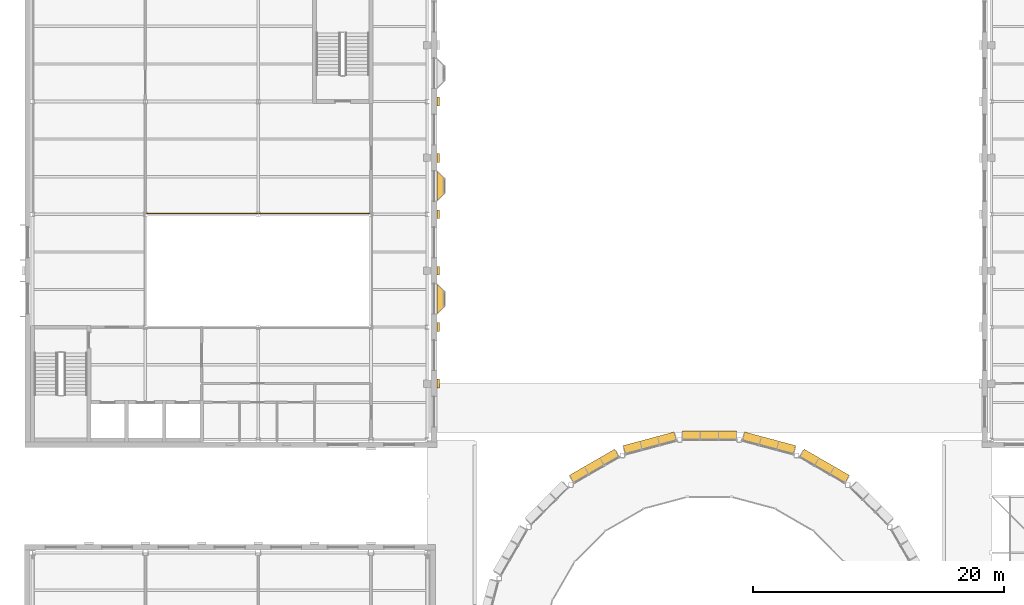
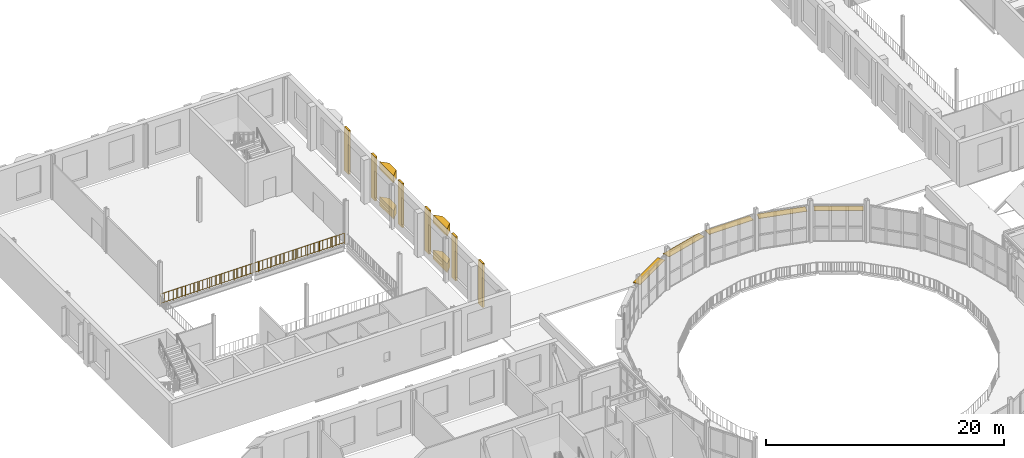
# One storey, part 66 of 74: 10 coverings, 5 shading devices, 1 railing.
"""IFC4 building model written with IfcOpenShell, lengths in metres."""

from ifc_helpers import new_model, si_unit, direction, frame, origin, origin_2d, place, context, subcontext, project, spatial, polyline, rectangle, circle, outline, extrude, material, layer, layer_set, type_object, element, save


model = new_model("IFC4")

# Units and contexts
model_context = context("Model", 3, precision=1e-05, world=origin(), true_north=direction((0.0, 1.0)))
body_context = subcontext(model_context, "Body", "Model", "MODEL_VIEW")
ifc_project = project(units=[si_unit("LENGTHUNIT", "METRE"), si_unit("AREAUNIT", "SQUARE_METRE"), si_unit("VOLUMEUNIT", "CUBIC_METRE"), si_unit("PLANEANGLEUNIT", "RADIAN"), si_unit("MASSUNIT", "GRAM", prefix="KILO")], contexts=[model_context])

# Site, building, storey
site_placement = place(None, origin())
site = spatial("IfcSite", under=ifc_project, at=site_placement, CompositionType="ELEMENT")
building_placement = place(site_placement, origin())
building = spatial("IfcBuilding", under=site, at=building_placement, Name="Hortulan Conservatory and Botanical Research Centre", CompositionType="ELEMENT")
storey_placement = place(building_placement, frame((0.0, 0.0, 6.0)))
storey = spatial("IfcBuildingStorey", under=building, at=storey_placement, Name="L01", CompositionType="ELEMENT", Elevation=6.0)

# Shading devices
ifc_material_1 = material(Name="Bronze-finished perforated aluminium", Category="aluminium")
ifc_layer_1 = layer(ifc_material_1, 0.050048828125)
ifc_layer_set_1 = layer_set([ifc_layer_1], Name="Banksia Brise-soleil Blade 700x50")
shading_device_type = type_object("IfcShadingDeviceType", Name="Banksia Brise-soleil Blade 700x50", PredefinedType="USERDEFINED", material=ifc_layer_set_1)
shading_device_1_placement = place(storey_placement, frame((63.18994140625, 33.91748046875, 3.10009765625), z_axis=(0.0, 0.0, 1.0), x_axis=(0.86603587557, -0.499981861897, 0.0)))
element("IfcShadingDevice", 1, at=shading_device_1_placement, inside=storey, type_object=shading_device_type, Name="Banksia brise-soleil blade", ObjectType="Banksia blade", PredefinedType="USERDEFINED", context=body_context, shape_type="SweptSolid", body=[
    extrude(rectangle(XDim=4.16064453125, YDim=0.699951171875, at=origin_2d()), origin(), (0.0, 0.0, 1.0), 0.050048828125),
])
shading_device_2_placement = place(storey_placement, frame((58.75732421875, 35.753662109375, 3.10009765625), z_axis=(0.0, 0.0, 1.0), x_axis=(0.965922212399, -0.258832531946, 0.0)))
element("IfcShadingDevice", 2, at=shading_device_2_placement, inside=storey, type_object=shading_device_type, Name="Banksia brise-soleil blade", ObjectType="Banksia blade", PredefinedType="USERDEFINED", context=body_context, shape_type="SweptSolid", body=[
    extrude(rectangle(XDim=4.2109375, YDim=0.699951171875, at=origin_2d()), origin(), (0.0, 0.0, 1.0), 0.050048828125),
])
shading_device_3_placement = place(storey_placement, frame((54.0, 36.3798828125, 3.10009765625), z_axis=(0.0, 0.0, 1.0), x_axis=(1.0, 0.0, 0.0)))
element("IfcShadingDevice", 3, at=shading_device_3_placement, inside=storey, type_object=shading_device_type, Name="Banksia brise-soleil blade", ObjectType="Banksia blade", PredefinedType="USERDEFINED", context=body_context, shape_type="SweptSolid", body=[
    extrude(rectangle(XDim=4.2900390625, YDim=0.699951171875, at=origin_2d()), origin(), (0.0, 0.0, 1.0), 0.050048828125),
])
shading_device_4_placement = place(storey_placement, frame((49.24267578125, 35.753662109375, 3.10009765625), z_axis=(0.0, 0.0, 1.0), x_axis=(0.965922212399, 0.258832531946, 0.0)))
element("IfcShadingDevice", 4, at=shading_device_4_placement, inside=storey, type_object=shading_device_type, Name="Banksia brise-soleil blade", ObjectType="Banksia blade", PredefinedType="USERDEFINED", context=body_context, shape_type="SweptSolid", body=[
    extrude(rectangle(XDim=4.2109375, YDim=0.699951171875, at=origin_2d()), origin(), (0.0, 0.0, 1.0), 0.050048828125),
])
shading_device_5_placement = place(storey_placement, frame((44.81005859375, 33.91748046875, 3.10009765625), z_axis=(0.0, 0.0, 1.0), x_axis=(0.86603587557, 0.499981861897, 0.0)))
element("IfcShadingDevice", 5, at=shading_device_5_placement, inside=storey, type_object=shading_device_type, Name="Banksia brise-soleil blade", ObjectType="Banksia blade", PredefinedType="USERDEFINED", context=body_context, shape_type="SweptSolid", body=[
    extrude(rectangle(XDim=4.16064453125, YDim=0.699951171875, at=origin_2d()), origin(), (0.0, 0.0, 1.0), 0.050048828125),
])

# Coverings
ifc_material_2 = material(Name="Faience-faced brickwork masonry", Category="masonry")
covering_type_1 = type_object("IfcCoveringType", Name="Faience Oriel Base", PredefinedType="CLADDING", material=ifc_material_2)
covering_1_placement = place(storey_placement, origin())
element("IfcCovering", 6, at=covering_1_placement, inside=storey, type_object=covering_type_1, Name="Oriel base", PredefinedType="CLADDING", context=body_context, shape_type="SweptSolid", body=[
    extrude(outline(polyline([(32.25, 48.449951171875), (32.85009765625, 47.85009765625), (32.85009765625, 46.64990234375), (32.25, 46.050048828125), (32.25, 48.449951171875)])), origin(), (0.0, 0.0, 1.0), 0.89990234375),
])
covering_2_placement = place(storey_placement, origin())
element("IfcCovering", 7, at=covering_2_placement, inside=storey, type_object=covering_type_1, Name="Oriel base", PredefinedType="CLADDING", context=body_context, shape_type="SweptSolid", body=[
    extrude(outline(polyline([(32.25, 57.449951171875), (32.85009765625, 56.85009765625), (32.85009765625, 55.64990234375), (32.25, 55.050048828125), (32.25, 57.449951171875)])), origin(), (0.0, 0.0, 1.0), 0.89990234375),
])
covering_type_2 = type_object("IfcCoveringType", Name="Faience Oriel Frieze", PredefinedType="CLADDING", material=ifc_material_2)
covering_3_placement = place(storey_placement, frame((0.0, 0.0, 3.699951171875)))
element("IfcCovering", 8, at=covering_3_placement, inside=storey, type_object=covering_type_2, Name="Oriel frieze", PredefinedType="CLADDING", context=body_context, shape_type="SweptSolid", body=[
    extrude(outline(polyline([(32.25, 48.449951171875), (32.85009765625, 47.85009765625), (32.85009765625, 46.64990234375), (32.25, 46.050048828125), (32.25, 48.449951171875)])), origin(), (0.0, 0.0, 1.0), 0.800048828125),
])
covering_4_placement = place(storey_placement, frame((0.0, 0.0, 3.699951171875)))
element("IfcCovering", 9, at=covering_4_placement, inside=storey, type_object=covering_type_2, Name="Oriel frieze", PredefinedType="CLADDING", context=body_context, shape_type="SweptSolid", body=[
    extrude(outline(polyline([(32.25, 57.449951171875), (32.85009765625, 56.85009765625), (32.85009765625, 55.64990234375), (32.25, 55.050048828125), (32.25, 57.449951171875)])), origin(), (0.0, 0.0, 1.0), 0.800048828125),
])

# Railing
ifc_material_3 = material(Name="Wrought iron guard, bronze-charcoal paint", Category="metal")
railing_type = type_object("IfcRailingType", Name="Ironwork Void Guard 1100", PredefinedType="GUARDRAIL", material=ifc_material_3)
railing_placement = place(storey_placement, frame((9.109130859375, 54.06005859375, 0.0)))
element("IfcRailing", 10, at=railing_placement, inside=storey, type_object=railing_type, Name="Guard L01 Winter Garden 3", PredefinedType="GUARDRAIL", context=body_context, shape_type="SweptSolid", body=[
    extrude(circle(Radius=0.02392578125, at=origin_2d()), frame((0.0, 0.0, 1.076171875), z_axis=(1.0, 0.0, 0.0), x_axis=(0.0, 1.0, 0.0)), (0.0, 0.0, 1.0), 17.78173828125),
    extrude(circle(Radius=0.02392578125, at=origin_2d()), frame((0.0, 0.0, 0.1240234375), z_axis=(1.0, 0.0, 0.0), x_axis=(0.0, 1.0, 0.0)), (0.0, 0.0, 1.0), 17.78173828125),
    extrude(circle(Radius=0.008056640625, at=origin_2d()), frame((0.10986328125, 0.0, 0.148193359375)), (0.0, 0.0, 1.0), 0.90380859375),
    extrude(circle(Radius=0.008056640625, at=origin_2d()), frame((0.219482421875, 0.0, 0.148193359375)), (0.0, 0.0, 1.0), 0.90380859375),
    extrude(circle(Radius=0.008056640625, at=origin_2d()), frame((0.329345703125, 0.0, 0.148193359375)), (0.0, 0.0, 1.0), 0.90380859375),
    extrude(circle(Radius=0.008056640625, at=origin_2d()), frame((0.43896484375, 0.0, 0.148193359375)), (0.0, 0.0, 1.0), 0.90380859375),
    extrude(circle(Radius=0.008056640625, at=origin_2d()), frame((0.548828125, 0.0, 0.148193359375)), (0.0, 0.0, 1.0), 0.90380859375),
    extrude(circle(Radius=0.008056640625, at=origin_2d()), frame((0.65869140625, 0.0, 0.148193359375)), (0.0, 0.0, 1.0), 0.90380859375),
    extrude(circle(Radius=0.008056640625, at=origin_2d()), frame((0.768310546875, 0.0, 0.148193359375)), (0.0, 0.0, 1.0), 0.90380859375),
    extrude(circle(Radius=0.008056640625, at=origin_2d()), frame((0.878173828125, 0.0, 0.148193359375)), (0.0, 0.0, 1.0), 0.90380859375),
    extrude(circle(Radius=0.008056640625, at=origin_2d()), frame((0.98779296875, 0.0, 0.148193359375)), (0.0, 0.0, 1.0), 0.90380859375),
    extrude(circle(Radius=0.008056640625, at=origin_2d()), frame((1.09765625, 0.0, 0.148193359375)), (0.0, 0.0, 1.0), 0.90380859375),
    extrude(circle(Radius=0.008056640625, at=origin_2d()), frame((1.20751953125, 0.0, 0.148193359375)), (0.0, 0.0, 1.0), 0.90380859375),
    extrude(circle(Radius=0.008056640625, at=origin_2d()), frame((1.317138671875, 0.0, 0.148193359375)), (0.0, 0.0, 1.0), 0.90380859375),
    extrude(circle(Radius=0.008056640625, at=origin_2d()), frame((1.427001953125, 0.0, 0.148193359375)), (0.0, 0.0, 1.0), 0.90380859375),
    extrude(circle(Radius=0.008056640625, at=origin_2d()), frame((1.53662109375, 0.0, 0.148193359375)), (0.0, 0.0, 1.0), 0.90380859375),
    extrude(circle(Radius=0.008056640625, at=origin_2d()), frame((1.646484375, 0.0, 0.148193359375)), (0.0, 0.0, 1.0), 0.90380859375),
    extrude(circle(Radius=0.008056640625, at=origin_2d()), frame((1.756103515625, 0.0, 0.148193359375)), (0.0, 0.0, 1.0), 0.90380859375),
    extrude(circle(Radius=0.008056640625, at=origin_2d()), frame((1.865966796875, 0.0, 0.148193359375)), (0.0, 0.0, 1.0), 0.90380859375),
    extrude(circle(Radius=0.008056640625, at=origin_2d()), frame((1.975830078125, 0.0, 0.148193359375)), (0.0, 0.0, 1.0), 0.90380859375),
    extrude(circle(Radius=0.008056640625, at=origin_2d()), frame((2.08544921875, 0.0, 0.148193359375)), (0.0, 0.0, 1.0), 0.90380859375),
    extrude(circle(Radius=0.008056640625, at=origin_2d()), frame((2.1953125, 0.0, 0.148193359375)), (0.0, 0.0, 1.0), 0.90380859375),
    extrude(circle(Radius=0.008056640625, at=origin_2d()), frame((2.304931640625, 0.0, 0.148193359375)), (0.0, 0.0, 1.0), 0.90380859375),
    extrude(circle(Radius=0.008056640625, at=origin_2d()), frame((2.414794921875, 0.0, 0.148193359375)), (0.0, 0.0, 1.0), 0.90380859375),
    extrude(circle(Radius=0.008056640625, at=origin_2d()), frame((2.524658203125, 0.0, 0.148193359375)), (0.0, 0.0, 1.0), 0.90380859375),
    extrude(circle(Radius=0.008056640625, at=origin_2d()), frame((2.63427734375, 0.0, 0.148193359375)), (0.0, 0.0, 1.0), 0.90380859375),
    extrude(circle(Radius=0.008056640625, at=origin_2d()), frame((2.744140625, 0.0, 0.148193359375)), (0.0, 0.0, 1.0), 0.90380859375),
    extrude(circle(Radius=0.008056640625, at=origin_2d()), frame((2.853759765625, 0.0, 0.148193359375)), (0.0, 0.0, 1.0), 0.90380859375),
    extrude(circle(Radius=0.008056640625, at=origin_2d()), frame((2.963623046875, 0.0, 0.148193359375)), (0.0, 0.0, 1.0), 0.90380859375),
    extrude(circle(Radius=0.008056640625, at=origin_2d()), frame((3.073486328125, 0.0, 0.148193359375)), (0.0, 0.0, 1.0), 0.90380859375),
    extrude(circle(Radius=0.008056640625, at=origin_2d()), frame((3.18310546875, 0.0, 0.148193359375)), (0.0, 0.0, 1.0), 0.90380859375),
    extrude(circle(Radius=0.008056640625, at=origin_2d()), frame((3.29296875, 0.0, 0.148193359375)), (0.0, 0.0, 1.0), 0.90380859375),
    extrude(circle(Radius=0.008056640625, at=origin_2d()), frame((3.402587890625, 0.0, 0.148193359375)), (0.0, 0.0, 1.0), 0.90380859375),
    extrude(circle(Radius=0.008056640625, at=origin_2d()), frame((3.512451171875, 0.0, 0.148193359375)), (0.0, 0.0, 1.0), 0.90380859375),
    extrude(circle(Radius=0.008056640625, at=origin_2d()), frame((3.622314453125, 0.0, 0.148193359375)), (0.0, 0.0, 1.0), 0.90380859375),
    extrude(circle(Radius=0.008056640625, at=origin_2d()), frame((3.73193359375, 0.0, 0.148193359375)), (0.0, 0.0, 1.0), 0.90380859375),
    extrude(circle(Radius=0.008056640625, at=origin_2d()), frame((3.841796875, 0.0, 0.148193359375)), (0.0, 0.0, 1.0), 0.90380859375),
    extrude(circle(Radius=0.008056640625, at=origin_2d()), frame((3.951416015625, 0.0, 0.148193359375)), (0.0, 0.0, 1.0), 0.90380859375),
    extrude(circle(Radius=0.008056640625, at=origin_2d()), frame((4.061279296875, 0.0, 0.148193359375)), (0.0, 0.0, 1.0), 0.90380859375),
    extrude(circle(Radius=0.008056640625, at=origin_2d()), frame((4.171142578125, 0.0, 0.148193359375)), (0.0, 0.0, 1.0), 0.90380859375),
    extrude(circle(Radius=0.008056640625, at=origin_2d()), frame((4.28076171875, 0.0, 0.148193359375)), (0.0, 0.0, 1.0), 0.90380859375),
    extrude(circle(Radius=0.008056640625, at=origin_2d()), frame((4.390625, 0.0, 0.148193359375)), (0.0, 0.0, 1.0), 0.90380859375),
    extrude(circle(Radius=0.008056640625, at=origin_2d()), frame((4.500244140625, 0.0, 0.148193359375)), (0.0, 0.0, 1.0), 0.90380859375),
    extrude(circle(Radius=0.008056640625, at=origin_2d()), frame((4.610107421875, 0.0, 0.148193359375)), (0.0, 0.0, 1.0), 0.90380859375),
    extrude(circle(Radius=0.008056640625, at=origin_2d()), frame((4.7197265625, 0.0, 0.148193359375)), (0.0, 0.0, 1.0), 0.90380859375),
    extrude(circle(Radius=0.008056640625, at=origin_2d()), frame((4.82958984375, 0.0, 0.148193359375)), (0.0, 0.0, 1.0), 0.90380859375),
    extrude(circle(Radius=0.008056640625, at=origin_2d()), frame((4.939453125, 0.0, 0.148193359375)), (0.0, 0.0, 1.0), 0.90380859375),
    extrude(circle(Radius=0.008056640625, at=origin_2d()), frame((5.049072265625, 0.0, 0.148193359375)), (0.0, 0.0, 1.0), 0.90380859375),
    extrude(circle(Radius=0.008056640625, at=origin_2d()), frame((5.158935546875, 0.0, 0.148193359375)), (0.0, 0.0, 1.0), 0.90380859375),
    extrude(circle(Radius=0.008056640625, at=origin_2d()), frame((5.2685546875, 0.0, 0.148193359375)), (0.0, 0.0, 1.0), 0.90380859375),
    extrude(circle(Radius=0.008056640625, at=origin_2d()), frame((5.37841796875, 0.0, 0.148193359375)), (0.0, 0.0, 1.0), 0.90380859375),
    extrude(circle(Radius=0.008056640625, at=origin_2d()), frame((5.48828125, 0.0, 0.148193359375)), (0.0, 0.0, 1.0), 0.90380859375),
    extrude(circle(Radius=0.008056640625, at=origin_2d()), frame((5.597900390625, 0.0, 0.148193359375)), (0.0, 0.0, 1.0), 0.90380859375),
    extrude(circle(Radius=0.008056640625, at=origin_2d()), frame((5.707763671875, 0.0, 0.148193359375)), (0.0, 0.0, 1.0), 0.90380859375),
    extrude(circle(Radius=0.008056640625, at=origin_2d()), frame((5.8173828125, 0.0, 0.148193359375)), (0.0, 0.0, 1.0), 0.90380859375),
    extrude(circle(Radius=0.008056640625, at=origin_2d()), frame((5.92724609375, 0.0, 0.148193359375)), (0.0, 0.0, 1.0), 0.90380859375),
    extrude(circle(Radius=0.008056640625, at=origin_2d()), frame((6.037109375, 0.0, 0.148193359375)), (0.0, 0.0, 1.0), 0.90380859375),
    extrude(circle(Radius=0.008056640625, at=origin_2d()), frame((6.146728515625, 0.0, 0.148193359375)), (0.0, 0.0, 1.0), 0.90380859375),
    extrude(circle(Radius=0.008056640625, at=origin_2d()), frame((6.256591796875, 0.0, 0.148193359375)), (0.0, 0.0, 1.0), 0.90380859375),
    extrude(circle(Radius=0.008056640625, at=origin_2d()), frame((6.3662109375, 0.0, 0.148193359375)), (0.0, 0.0, 1.0), 0.90380859375),
    extrude(circle(Radius=0.008056640625, at=origin_2d()), frame((6.47607421875, 0.0, 0.148193359375)), (0.0, 0.0, 1.0), 0.90380859375),
    extrude(circle(Radius=0.008056640625, at=origin_2d()), frame((6.5859375, 0.0, 0.148193359375)), (0.0, 0.0, 1.0), 0.90380859375),
    extrude(circle(Radius=0.008056640625, at=origin_2d()), frame((6.695556640625, 0.0, 0.148193359375)), (0.0, 0.0, 1.0), 0.90380859375),
    extrude(circle(Radius=0.008056640625, at=origin_2d()), frame((6.805419921875, 0.0, 0.148193359375)), (0.0, 0.0, 1.0), 0.90380859375),
    extrude(circle(Radius=0.008056640625, at=origin_2d()), frame((6.9150390625, 0.0, 0.148193359375)), (0.0, 0.0, 1.0), 0.90380859375),
    extrude(circle(Radius=0.008056640625, at=origin_2d()), frame((7.02490234375, 0.0, 0.148193359375)), (0.0, 0.0, 1.0), 0.90380859375),
    extrude(circle(Radius=0.008056640625, at=origin_2d()), frame((7.134765625, 0.0, 0.148193359375)), (0.0, 0.0, 1.0), 0.90380859375),
    extrude(circle(Radius=0.008056640625, at=origin_2d()), frame((7.244384765625, 0.0, 0.148193359375)), (0.0, 0.0, 1.0), 0.90380859375),
    extrude(circle(Radius=0.008056640625, at=origin_2d()), frame((7.354248046875, 0.0, 0.148193359375)), (0.0, 0.0, 1.0), 0.90380859375),
    extrude(circle(Radius=0.008056640625, at=origin_2d()), frame((7.4638671875, 0.0, 0.148193359375)), (0.0, 0.0, 1.0), 0.90380859375),
    extrude(circle(Radius=0.008056640625, at=origin_2d()), frame((7.57373046875, 0.0, 0.148193359375)), (0.0, 0.0, 1.0), 0.90380859375),
    extrude(circle(Radius=0.008056640625, at=origin_2d()), frame((7.683349609375, 0.0, 0.148193359375)), (0.0, 0.0, 1.0), 0.90380859375),
    extrude(circle(Radius=0.008056640625, at=origin_2d()), frame((7.793212890625, 0.0, 0.148193359375)), (0.0, 0.0, 1.0), 0.90380859375),
    extrude(circle(Radius=0.008056640625, at=origin_2d()), frame((7.903076171875, 0.0, 0.148193359375)), (0.0, 0.0, 1.0), 0.90380859375),
    extrude(circle(Radius=0.008056640625, at=origin_2d()), frame((8.0126953125, 0.0, 0.148193359375)), (0.0, 0.0, 1.0), 0.90380859375),
    extrude(circle(Radius=0.008056640625, at=origin_2d()), frame((8.12255859375, 0.0, 0.148193359375)), (0.0, 0.0, 1.0), 0.90380859375),
    extrude(circle(Radius=0.008056640625, at=origin_2d()), frame((8.232177734375, 0.0, 0.148193359375)), (0.0, 0.0, 1.0), 0.90380859375),
    extrude(circle(Radius=0.008056640625, at=origin_2d()), frame((8.342041015625, 0.0, 0.148193359375)), (0.0, 0.0, 1.0), 0.90380859375),
    extrude(circle(Radius=0.008056640625, at=origin_2d()), frame((8.451904296875, 0.0, 0.148193359375)), (0.0, 0.0, 1.0), 0.90380859375),
    extrude(circle(Radius=0.008056640625, at=origin_2d()), frame((8.5615234375, 0.0, 0.148193359375)), (0.0, 0.0, 1.0), 0.90380859375),
    extrude(circle(Radius=0.008056640625, at=origin_2d()), frame((8.67138671875, 0.0, 0.148193359375)), (0.0, 0.0, 1.0), 0.90380859375),
    extrude(circle(Radius=0.008056640625, at=origin_2d()), frame((8.781005859375, 0.0, 0.148193359375)), (0.0, 0.0, 1.0), 0.90380859375),
    extrude(circle(Radius=0.008056640625, at=origin_2d()), frame((8.890869140625, 0.0, 0.148193359375)), (0.0, 0.0, 1.0), 0.90380859375),
    extrude(circle(Radius=0.008056640625, at=origin_2d()), frame((9.000732421875, 0.0, 0.148193359375)), (0.0, 0.0, 1.0), 0.90380859375),
    extrude(circle(Radius=0.008056640625, at=origin_2d()), frame((9.1103515625, 0.0, 0.148193359375)), (0.0, 0.0, 1.0), 0.90380859375),
    extrude(circle(Radius=0.008056640625, at=origin_2d()), frame((9.22021484375, 0.0, 0.148193359375)), (0.0, 0.0, 1.0), 0.90380859375),
    extrude(circle(Radius=0.008056640625, at=origin_2d()), frame((9.329833984375, 0.0, 0.148193359375)), (0.0, 0.0, 1.0), 0.90380859375),
    extrude(circle(Radius=0.008056640625, at=origin_2d()), frame((9.439697265625, 0.0, 0.148193359375)), (0.0, 0.0, 1.0), 0.90380859375),
    extrude(circle(Radius=0.008056640625, at=origin_2d()), frame((9.549560546875, 0.0, 0.148193359375)), (0.0, 0.0, 1.0), 0.90380859375),
    extrude(circle(Radius=0.008056640625, at=origin_2d()), frame((9.6591796875, 0.0, 0.148193359375)), (0.0, 0.0, 1.0), 0.90380859375),
    extrude(circle(Radius=0.008056640625, at=origin_2d()), frame((9.76904296875, 0.0, 0.148193359375)), (0.0, 0.0, 1.0), 0.90380859375),
    extrude(circle(Radius=0.008056640625, at=origin_2d()), frame((9.878662109375, 0.0, 0.148193359375)), (0.0, 0.0, 1.0), 0.90380859375),
    extrude(circle(Radius=0.008056640625, at=origin_2d()), frame((9.988525390625, 0.0, 0.148193359375)), (0.0, 0.0, 1.0), 0.90380859375),
    extrude(circle(Radius=0.008056640625, at=origin_2d()), frame((10.098388671875, 0.0, 0.148193359375)), (0.0, 0.0, 1.0), 0.90380859375),
    extrude(circle(Radius=0.008056640625, at=origin_2d()), frame((10.2080078125, 0.0, 0.148193359375)), (0.0, 0.0, 1.0), 0.90380859375),
    extrude(circle(Radius=0.008056640625, at=origin_2d()), frame((10.31787109375, 0.0, 0.148193359375)), (0.0, 0.0, 1.0), 0.90380859375),
    extrude(circle(Radius=0.008056640625, at=origin_2d()), frame((10.427490234375, 0.0, 0.148193359375)), (0.0, 0.0, 1.0), 0.90380859375),
    extrude(circle(Radius=0.008056640625, at=origin_2d()), frame((10.537353515625, 0.0, 0.148193359375)), (0.0, 0.0, 1.0), 0.90380859375),
    extrude(circle(Radius=0.008056640625, at=origin_2d()), frame((10.64697265625, 0.0, 0.148193359375)), (0.0, 0.0, 1.0), 0.90380859375),
    extrude(circle(Radius=0.008056640625, at=origin_2d()), frame((10.7568359375, 0.0, 0.148193359375)), (0.0, 0.0, 1.0), 0.90380859375),
    extrude(circle(Radius=0.008056640625, at=origin_2d()), frame((10.86669921875, 0.0, 0.148193359375)), (0.0, 0.0, 1.0), 0.90380859375),
    extrude(circle(Radius=0.008056640625, at=origin_2d()), frame((10.976318359375, 0.0, 0.148193359375)), (0.0, 0.0, 1.0), 0.90380859375),
    extrude(circle(Radius=0.008056640625, at=origin_2d()), frame((11.086181640625, 0.0, 0.148193359375)), (0.0, 0.0, 1.0), 0.90380859375),
    extrude(circle(Radius=0.008056640625, at=origin_2d()), frame((11.19580078125, 0.0, 0.148193359375)), (0.0, 0.0, 1.0), 0.90380859375),
    extrude(circle(Radius=0.008056640625, at=origin_2d()), frame((11.3056640625, 0.0, 0.148193359375)), (0.0, 0.0, 1.0), 0.90380859375),
    extrude(circle(Radius=0.008056640625, at=origin_2d()), frame((11.41552734375, 0.0, 0.148193359375)), (0.0, 0.0, 1.0), 0.90380859375),
    extrude(circle(Radius=0.008056640625, at=origin_2d()), frame((11.525146484375, 0.0, 0.148193359375)), (0.0, 0.0, 1.0), 0.90380859375),
    extrude(circle(Radius=0.008056640625, at=origin_2d()), frame((11.635009765625, 0.0, 0.148193359375)), (0.0, 0.0, 1.0), 0.90380859375),
    extrude(circle(Radius=0.008056640625, at=origin_2d()), frame((11.74462890625, 0.0, 0.148193359375)), (0.0, 0.0, 1.0), 0.90380859375),
    extrude(circle(Radius=0.008056640625, at=origin_2d()), frame((11.8544921875, 0.0, 0.148193359375)), (0.0, 0.0, 1.0), 0.90380859375),
    extrude(circle(Radius=0.008056640625, at=origin_2d()), frame((11.96435546875, 0.0, 0.148193359375)), (0.0, 0.0, 1.0), 0.90380859375),
    extrude(circle(Radius=0.008056640625, at=origin_2d()), frame((12.073974609375, 0.0, 0.148193359375)), (0.0, 0.0, 1.0), 0.90380859375),
    extrude(circle(Radius=0.008056640625, at=origin_2d()), frame((12.183837890625, 0.0, 0.148193359375)), (0.0, 0.0, 1.0), 0.90380859375),
    extrude(circle(Radius=0.008056640625, at=origin_2d()), frame((12.29345703125, 0.0, 0.148193359375)), (0.0, 0.0, 1.0), 0.90380859375),
    extrude(circle(Radius=0.008056640625, at=origin_2d()), frame((12.4033203125, 0.0, 0.148193359375)), (0.0, 0.0, 1.0), 0.90380859375),
    extrude(circle(Radius=0.008056640625, at=origin_2d()), frame((12.51318359375, 0.0, 0.148193359375)), (0.0, 0.0, 1.0), 0.90380859375),
    extrude(circle(Radius=0.008056640625, at=origin_2d()), frame((12.622802734375, 0.0, 0.148193359375)), (0.0, 0.0, 1.0), 0.90380859375),
    extrude(circle(Radius=0.008056640625, at=origin_2d()), frame((12.732666015625, 0.0, 0.148193359375)), (0.0, 0.0, 1.0), 0.90380859375),
    extrude(circle(Radius=0.008056640625, at=origin_2d()), frame((12.84228515625, 0.0, 0.148193359375)), (0.0, 0.0, 1.0), 0.90380859375),
    extrude(circle(Radius=0.008056640625, at=origin_2d()), frame((12.9521484375, 0.0, 0.148193359375)), (0.0, 0.0, 1.0), 0.90380859375),
    extrude(circle(Radius=0.008056640625, at=origin_2d()), frame((13.06201171875, 0.0, 0.148193359375)), (0.0, 0.0, 1.0), 0.90380859375),
    extrude(circle(Radius=0.008056640625, at=origin_2d()), frame((13.171630859375, 0.0, 0.148193359375)), (0.0, 0.0, 1.0), 0.90380859375),
    extrude(circle(Radius=0.008056640625, at=origin_2d()), frame((13.281494140625, 0.0, 0.148193359375)), (0.0, 0.0, 1.0), 0.90380859375),
    extrude(circle(Radius=0.008056640625, at=origin_2d()), frame((13.39111328125, 0.0, 0.148193359375)), (0.0, 0.0, 1.0), 0.90380859375),
    extrude(circle(Radius=0.008056640625, at=origin_2d()), frame((13.5009765625, 0.0, 0.148193359375)), (0.0, 0.0, 1.0), 0.90380859375),
    extrude(circle(Radius=0.008056640625, at=origin_2d()), frame((13.610595703125, 0.0, 0.148193359375)), (0.0, 0.0, 1.0), 0.90380859375),
    extrude(circle(Radius=0.008056640625, at=origin_2d()), frame((13.720458984375, 0.0, 0.148193359375)), (0.0, 0.0, 1.0), 0.90380859375),
    extrude(circle(Radius=0.008056640625, at=origin_2d()), frame((13.830322265625, 0.0, 0.148193359375)), (0.0, 0.0, 1.0), 0.90380859375),
    extrude(circle(Radius=0.008056640625, at=origin_2d()), frame((13.93994140625, 0.0, 0.148193359375)), (0.0, 0.0, 1.0), 0.90380859375),
    extrude(circle(Radius=0.008056640625, at=origin_2d()), frame((14.0498046875, 0.0, 0.148193359375)), (0.0, 0.0, 1.0), 0.90380859375),
    extrude(circle(Radius=0.008056640625, at=origin_2d()), frame((14.159423828125, 0.0, 0.148193359375)), (0.0, 0.0, 1.0), 0.90380859375),
    extrude(circle(Radius=0.008056640625, at=origin_2d()), frame((14.269287109375, 0.0, 0.148193359375)), (0.0, 0.0, 1.0), 0.90380859375),
    extrude(circle(Radius=0.008056640625, at=origin_2d()), frame((14.379150390625, 0.0, 0.148193359375)), (0.0, 0.0, 1.0), 0.90380859375),
    extrude(circle(Radius=0.008056640625, at=origin_2d()), frame((14.48876953125, 0.0, 0.148193359375)), (0.0, 0.0, 1.0), 0.90380859375),
    extrude(circle(Radius=0.008056640625, at=origin_2d()), frame((14.5986328125, 0.0, 0.148193359375)), (0.0, 0.0, 1.0), 0.90380859375),
    extrude(circle(Radius=0.008056640625, at=origin_2d()), frame((14.708251953125, 0.0, 0.148193359375)), (0.0, 0.0, 1.0), 0.90380859375),
    extrude(circle(Radius=0.008056640625, at=origin_2d()), frame((14.818115234375, 0.0, 0.148193359375)), (0.0, 0.0, 1.0), 0.90380859375),
    extrude(circle(Radius=0.008056640625, at=origin_2d()), frame((14.927978515625, 0.0, 0.148193359375)), (0.0, 0.0, 1.0), 0.90380859375),
    extrude(circle(Radius=0.008056640625, at=origin_2d()), frame((15.03759765625, 0.0, 0.148193359375)), (0.0, 0.0, 1.0), 0.90380859375),
    extrude(circle(Radius=0.008056640625, at=origin_2d()), frame((15.1474609375, 0.0, 0.148193359375)), (0.0, 0.0, 1.0), 0.90380859375),
    extrude(circle(Radius=0.008056640625, at=origin_2d()), frame((15.257080078125, 0.0, 0.148193359375)), (0.0, 0.0, 1.0), 0.90380859375),
    extrude(circle(Radius=0.008056640625, at=origin_2d()), frame((15.366943359375, 0.0, 0.148193359375)), (0.0, 0.0, 1.0), 0.90380859375),
    extrude(circle(Radius=0.008056640625, at=origin_2d()), frame((15.476806640625, 0.0, 0.148193359375)), (0.0, 0.0, 1.0), 0.90380859375),
    extrude(circle(Radius=0.008056640625, at=origin_2d()), frame((15.58642578125, 0.0, 0.148193359375)), (0.0, 0.0, 1.0), 0.90380859375),
    extrude(circle(Radius=0.008056640625, at=origin_2d()), frame((15.6962890625, 0.0, 0.148193359375)), (0.0, 0.0, 1.0), 0.90380859375),
    extrude(circle(Radius=0.008056640625, at=origin_2d()), frame((15.805908203125, 0.0, 0.148193359375)), (0.0, 0.0, 1.0), 0.90380859375),
    extrude(circle(Radius=0.008056640625, at=origin_2d()), frame((15.915771484375, 0.0, 0.148193359375)), (0.0, 0.0, 1.0), 0.90380859375),
    extrude(circle(Radius=0.008056640625, at=origin_2d()), frame((16.025634765625, 0.0, 0.148193359375)), (0.0, 0.0, 1.0), 0.90380859375),
    extrude(circle(Radius=0.008056640625, at=origin_2d()), frame((16.13525390625, 0.0, 0.148193359375)), (0.0, 0.0, 1.0), 0.90380859375),
    extrude(circle(Radius=0.008056640625, at=origin_2d()), frame((16.2451171875, 0.0, 0.148193359375)), (0.0, 0.0, 1.0), 0.90380859375),
    extrude(circle(Radius=0.008056640625, at=origin_2d()), frame((16.354736328125, 0.0, 0.148193359375)), (0.0, 0.0, 1.0), 0.90380859375),
    extrude(circle(Radius=0.008056640625, at=origin_2d()), frame((16.464599609375, 0.0, 0.148193359375)), (0.0, 0.0, 1.0), 0.90380859375),
    extrude(circle(Radius=0.008056640625, at=origin_2d()), frame((16.57421875, 0.0, 0.148193359375)), (0.0, 0.0, 1.0), 0.90380859375),
    extrude(circle(Radius=0.008056640625, at=origin_2d()), frame((16.68408203125, 0.0, 0.148193359375)), (0.0, 0.0, 1.0), 0.90380859375),
    extrude(circle(Radius=0.008056640625, at=origin_2d()), frame((16.7939453125, 0.0, 0.148193359375)), (0.0, 0.0, 1.0), 0.90380859375),
    extrude(circle(Radius=0.008056640625, at=origin_2d()), frame((16.903564453125, 0.0, 0.148193359375)), (0.0, 0.0, 1.0), 0.90380859375),
    extrude(circle(Radius=0.008056640625, at=origin_2d()), frame((17.013427734375, 0.0, 0.148193359375)), (0.0, 0.0, 1.0), 0.90380859375),
    extrude(circle(Radius=0.008056640625, at=origin_2d()), frame((17.123046875, 0.0, 0.148193359375)), (0.0, 0.0, 1.0), 0.90380859375),
    extrude(circle(Radius=0.008056640625, at=origin_2d()), frame((17.23291015625, 0.0, 0.148193359375)), (0.0, 0.0, 1.0), 0.90380859375),
    extrude(circle(Radius=0.008056640625, at=origin_2d()), frame((17.3427734375, 0.0, 0.148193359375)), (0.0, 0.0, 1.0), 0.90380859375),
    extrude(circle(Radius=0.008056640625, at=origin_2d()), frame((17.452392578125, 0.0, 0.148193359375)), (0.0, 0.0, 1.0), 0.90380859375),
    extrude(circle(Radius=0.008056640625, at=origin_2d()), frame((17.562255859375, 0.0, 0.148193359375)), (0.0, 0.0, 1.0), 0.90380859375),
    extrude(circle(Radius=0.008056640625, at=origin_2d()), frame((17.671875, 0.0, 0.148193359375)), (0.0, 0.0, 1.0), 0.90380859375),
    extrude(circle(Radius=0.02099609375, at=origin_2d()), origin(), (0.0, 0.0, 1.0), 1.052001953125),
    extrude(circle(Radius=0.02099609375, at=origin_2d()), frame((1.185546875, 0.0, 0.0)), (0.0, 0.0, 1.0), 1.052001953125),
    extrude(circle(Radius=0.02099609375, at=origin_2d()), frame((2.370849609375, 0.0, 0.0)), (0.0, 0.0, 1.0), 1.052001953125),
    extrude(circle(Radius=0.02099609375, at=origin_2d()), frame((3.556396484375, 0.0, 0.0)), (0.0, 0.0, 1.0), 1.052001953125),
    extrude(circle(Radius=0.02099609375, at=origin_2d()), frame((4.74169921875, 0.0, 0.0)), (0.0, 0.0, 1.0), 1.052001953125),
    extrude(circle(Radius=0.02099609375, at=origin_2d()), frame((5.92724609375, 0.0, 0.0)), (0.0, 0.0, 1.0), 1.052001953125),
    extrude(circle(Radius=0.02099609375, at=origin_2d()), frame((7.11279296875, 0.0, 0.0)), (0.0, 0.0, 1.0), 1.052001953125),
    extrude(circle(Radius=0.02099609375, at=origin_2d()), frame((8.298095703125, 0.0, 0.0)), (0.0, 0.0, 1.0), 1.052001953125),
    extrude(circle(Radius=0.02099609375, at=origin_2d()), frame((9.483642578125, 0.0, 0.0)), (0.0, 0.0, 1.0), 1.052001953125),
    extrude(circle(Radius=0.02099609375, at=origin_2d()), frame((10.6689453125, 0.0, 0.0)), (0.0, 0.0, 1.0), 1.052001953125),
    extrude(circle(Radius=0.02099609375, at=origin_2d()), frame((11.8544921875, 0.0, 0.0)), (0.0, 0.0, 1.0), 1.052001953125),
    extrude(circle(Radius=0.02099609375, at=origin_2d()), frame((13.0400390625, 0.0, 0.0)), (0.0, 0.0, 1.0), 1.052001953125),
    extrude(circle(Radius=0.02099609375, at=origin_2d()), frame((14.225341796875, 0.0, 0.0)), (0.0, 0.0, 1.0), 1.052001953125),
    extrude(circle(Radius=0.02099609375, at=origin_2d()), frame((15.410888671875, 0.0, 0.0)), (0.0, 0.0, 1.0), 1.052001953125),
    extrude(circle(Radius=0.02099609375, at=origin_2d()), frame((16.59619140625, 0.0, 0.0)), (0.0, 0.0, 1.0), 1.052001953125),
    extrude(circle(Radius=0.02099609375, at=origin_2d()), frame((17.78173828125, 0.0, 0.0)), (0.0, 0.0, 1.0), 1.052001953125),
])

# Coverings
ifc_material_4 = material(Name="Sandstone masonry (Hawkesbury yellow block)", Category="masonry")
ifc_layer_2 = layer(ifc_material_4, 0.199951171875)
ifc_layer_set_2 = layer_set([ifc_layer_2], Name="Sandstone Pilaster 700x200")
covering_type_3 = type_object("IfcCoveringType", Name="Sandstone Pilaster 700x200", PredefinedType="CLADDING", material=ifc_layer_set_2)
for number, where, z_axis, x_axis, name in (
    (11, (32.35009765625, 63.0, 0.0), (0.0, 0.0, 1.0), (0.0, -1.0, 0.0), "Pier"),
    (12, (32.35009765625, 58.5, 0.0), (0.0, 0.0, 1.0), (0.0, -1.0, 0.0), "Pier"),
    (13, (32.35009765625, 54.0, 0.0), (0.0, 0.0, 1.0), (0.0, -1.0, 0.0), "Pier"),
    (14, (32.35009765625, 49.5, 0.0), (0.0, 0.0, 1.0), (0.0, -1.0, 0.0), "Pier"),
    (15, (32.35009765625, 45.0, 0.0), (0.0, 0.0, 1.0), (0.0, -1.0, 0.0), "Pier"),
    (16, (32.35009765625, 40.5, 0.0), (0.0, 0.0, 1.0), (0.0, -1.0, 0.0), "Pier"),
):
    element("IfcCovering", number, at=place(storey_placement, frame(where, z_axis=z_axis, x_axis=x_axis)), inside=storey, type_object=covering_type_3, Name=name, PredefinedType="CLADDING", context=body_context, shape_type="SweptSolid", body=[
        extrude(rectangle(XDim=0.699951171875, YDim=0.199951171875, at=origin_2d()), origin(), (0.0, 0.0, 1.0), 4.5),
    ])

save(model, "model.ifc")
